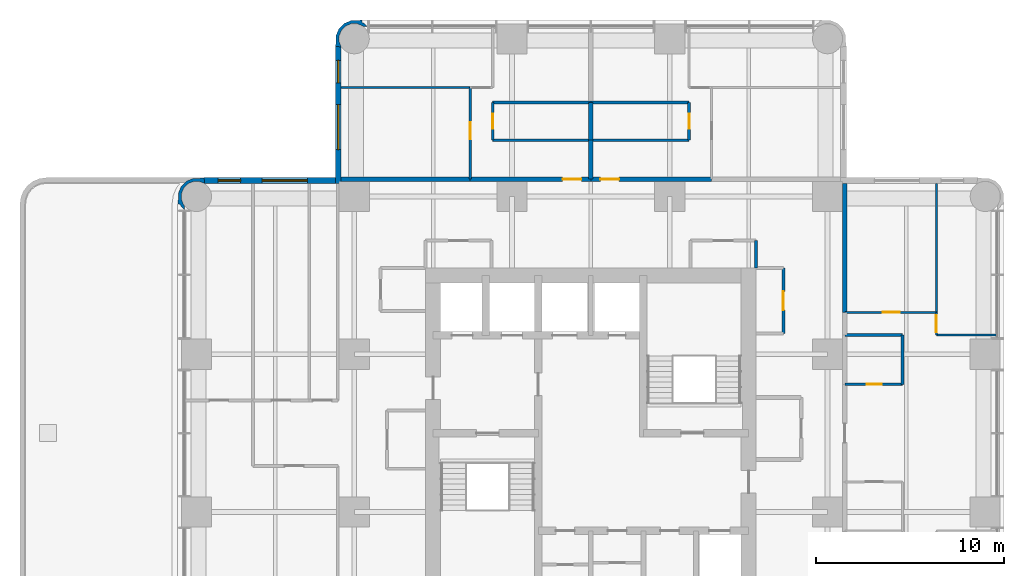
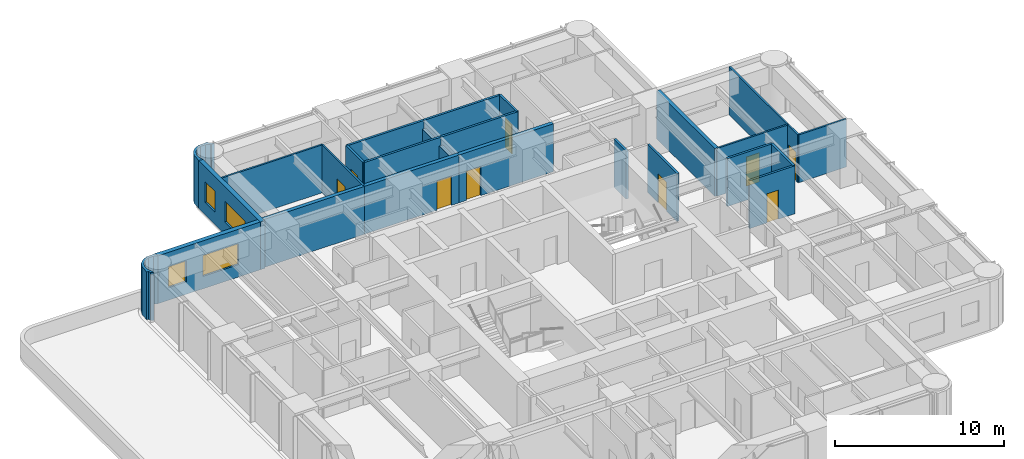
# One storey, part 7 of 9: 27 walls, 9 doors, 4 windows, 13 openings.
"""IFC4 building model written with IfcOpenShell, lengths in metres."""

from ifc_helpers import new_model, si_unit, direction, frame, frame_2d, origin, place, context, subcontext, project, spatial, polyline, rectangle, outline, extrude, material, layer, layer_set, type_object, element, fill, save


model = new_model("IFC4")

# Units and contexts
model_context = context("Model", 3, precision=1e-05, world=origin(), true_north=direction((0.0, 1.0)))
body_context = subcontext(model_context, "Body", "Model", "MODEL_VIEW")
ifc_project = project(units=[si_unit("LENGTHUNIT", "METRE"), si_unit("AREAUNIT", "SQUARE_METRE"), si_unit("VOLUMEUNIT", "CUBIC_METRE"), si_unit("PLANEANGLEUNIT", "RADIAN"), si_unit("MASSUNIT", "GRAM", prefix="KILO")], contexts=[model_context])

# Site, building, storey
site_placement = place(None, origin())
site = spatial("IfcSite", under=ifc_project, at=site_placement, CompositionType="ELEMENT")
building_placement = place(site_placement, origin())
building = spatial("IfcBuilding", under=site, at=building_placement, Name="Torre Alcanfor", CompositionType="ELEMENT")
storey_placement = place(building_placement, frame((0.0, 0.0, 254.10009765625)))
storey = spatial("IfcBuildingStorey", under=building, at=storey_placement, Name="L66", CompositionType="ELEMENT", Elevation=254.10009765625)

# Wall, opening, door
ifc_material_1 = material(Name="Concrete block masonry, hollow blocks NMX-C-404 9 MPa", Category="masonry")
ifc_layer_1 = layer(ifc_material_1, 0.25)
ifc_layer_set_1 = layer_set([ifc_layer_1], Name="Apartment entrance wall 250 EI 60")
wall_type_1 = type_object("IfcWallType", Name="Apartment entrance wall 250 EI 60", PredefinedType="PARTITIONING", material=ifc_layer_set_1)
wall_1_placement = place(storey_placement, frame((22.970947265625, 42.925048828125, 0.0), z_axis=(0.0, 0.0, 1.0), x_axis=(1.0, 0.0, 0.0)))
wall_1 = element("IfcWall", 1, at=wall_1_placement, inside=storey, type_object=wall_type_1, Name="Partition L66-CORR / L66-N1-LIVING", PredefinedType="PARTITIONING", context=body_context, shape_type="SweptSolid", body=[
    extrude(rectangle(XDim=6.428955078125, YDim=0.25, at=frame_2d((3.21435546875, 0.0))), origin(), (0.0, 0.0, 1.0), 3.449951171875),
])
opening_1_placement = place(wall_1_placement, frame((4.928955078125, 0.0, 0.0)))
opening_1 = element("IfcOpeningElement", 2, at=opening_1_placement, cuts=wall_1, Name="Opening D-A1", PredefinedType="OPENING", context=body_context, shape_type="SweptSolid", body=[
    extrude(rectangle(XDim=1.0, YDim=2.10009765625, at=frame_2d((0.5, 1.050048828125))), frame((0.0, 0.135009765625, 0.0), z_axis=(0.0, -1.0, 0.0), x_axis=(1.0, 0.0, 0.0)), (0.0, 0.0, 1.0), 0.27001953125),
])
ifc_material_2 = material(Name="Galvanised steel sheet ASTM A653", Category="steel")
door_type_1 = type_object("IfcDoorType", Name="Apartment entrance door FD60 1000x2100", OperationType="SINGLE_SWING_LEFT", PredefinedType="DOOR", material=ifc_material_2)
door_1_placement = place(opening_1_placement, origin())
door_1 = element("IfcDoor", 3, at=door_1_placement, inside=storey, type_object=door_type_1, Name="Apartment entrance L66-N1", OperationType="SINGLE_SWING_RIGHT", OverallHeight=2.10009765625, OverallWidth=1.0, PredefinedType="DOOR", context=body_context, shape_type="SweptSolid", body=[
    extrude(rectangle(XDim=1.0, YDim=2.10009765625, at=frame_2d((0.5, 1.050048828125))), frame((0.0, 0.02490234375, 0.0), z_axis=(0.0, -1.0, 0.0), x_axis=(1.0, 0.0, 0.0)), (0.0, 0.0, 1.0), 0.050048828125),
])
fill(opening_1, door_1)

# Wall
wall_2_placement = place(storey_placement, frame((16.10009765625, 42.925048828125, 0.0), z_axis=(0.0, 0.0, 1.0), x_axis=(1.0, 0.0, 0.0)))
element("IfcWall", 4, at=wall_2_placement, inside=storey, type_object=wall_type_1, Name="Partition L66-CORR / L66-N1-BED2", PredefinedType="PARTITIONING", context=body_context, shape_type="SweptSolid", body=[
    extrude(rectangle(XDim=6.870849609375, YDim=0.25, at=frame_2d((3.435546875, 0.0))), origin(), (0.0, 0.0, 1.0), 3.449951171875),
])

# Wall, opening, door
wall_3_placement = place(storey_placement, frame((29.39990234375, 42.925048828125, 0.0), z_axis=(0.0, 0.0, 1.0), x_axis=(1.0, 0.0, 0.0)))
wall_3 = element("IfcWall", 5, at=wall_3_placement, inside=storey, type_object=wall_type_1, Name="Partition L66-CORR / L66-N2-LIVING", PredefinedType="PARTITIONING", context=body_context, shape_type="SweptSolid", body=[
    extrude(rectangle(XDim=6.42919921875, YDim=0.25, at=frame_2d((3.214599609375, 0.0))), origin(), (0.0, 0.0, 1.0), 3.449951171875),
])
opening_2_placement = place(wall_3_placement, frame((0.5, 0.0, 0.0)))
opening_2 = element("IfcOpeningElement", 6, at=opening_2_placement, cuts=wall_3, Name="Opening D-A1", PredefinedType="OPENING", context=body_context, shape_type="SweptSolid", body=[
    extrude(rectangle(XDim=1.0, YDim=2.10009765625, at=frame_2d((0.5, 1.050048828125))), frame((0.0, 0.135009765625, 0.0), z_axis=(0.0, -1.0, 0.0), x_axis=(1.0, 0.0, 0.0)), (0.0, 0.0, 1.0), 0.27001953125),
])
door_2_placement = place(opening_2_placement, origin())
door_2 = element("IfcDoor", 7, at=door_2_placement, inside=storey, type_object=door_type_1, Name="Apartment entrance L66-N2", OperationType="SINGLE_SWING_LEFT", OverallHeight=2.10009765625, OverallWidth=1.0, PredefinedType="DOOR", context=body_context, shape_type="SweptSolid", body=[
    extrude(rectangle(XDim=1.0, YDim=2.10009765625, at=frame_2d((0.5, 1.050048828125))), frame((0.0, 0.02490234375, 0.0), z_axis=(0.0, -1.0, 0.0), x_axis=(1.0, 0.0, 0.0)), (0.0, 0.0, 1.0), 0.050048828125),
])
fill(opening_2, door_2)

# Wall
wall_4_placement = place(storey_placement, frame((42.925048828125, 42.699951171875, 0.0), z_axis=(0.0, 0.0, 1.0), x_axis=(0.0, -1.0, 0.0)))
element("IfcWall", 8, at=wall_4_placement, inside=storey, type_object=wall_type_1, Name="Partition L66-CORR / L66-EX-BED2", PredefinedType="PARTITIONING", context=body_context, shape_type="SweptSolid", body=[
    extrude(rectangle(XDim=6.870849609375, YDim=0.25, at=frame_2d((3.435546875, 0.0))), origin(), (0.0, 0.0, 1.0), 3.449951171875),
])

# Wall, opening, door
ifc_material_3 = material(Name="Gypsum board on steel studs", Category="steel")
ifc_layer_2 = layer(ifc_material_3, 0.1201171875)
ifc_layer_set_2 = layer_set([ifc_layer_2], Name="Apartment partition 120")
wall_type_2 = type_object("IfcWallType", Name="Apartment partition 120", PredefinedType="PARTITIONING", material=ifc_layer_set_2)
wall_5_placement = place(storey_placement, frame((22.970947265625, 42.925048828125, 0.0), z_axis=(0.0, 0.0, 1.0), x_axis=(0.0, 1.0, 0.0)))
wall_5 = element("IfcWall", 9, at=wall_5_placement, inside=storey, type_object=wall_type_2, Name="Partition L66-N1-LIVING / L66-N1-BED2", PredefinedType="PARTITIONING", context=body_context, shape_type="SweptSolid", body=[
    extrude(rectangle(XDim=4.875, YDim=0.1201171875, at=frame_2d((2.4375, 0.0))), origin(), (0.0, 0.0, 1.0), 3.449951171875),
])
opening_3_placement = place(wall_5_placement, frame((2.125, 0.0, 0.0)))
opening_3 = element("IfcOpeningElement", 10, at=opening_3_placement, cuts=wall_5, Name="Opening D-R1", PredefinedType="OPENING", context=body_context, shape_type="SweptSolid", body=[
    extrude(rectangle(XDim=0.89990234375, YDim=2.10009765625, at=frame_2d((0.449951171875, 1.050048828125))), frame((0.0, 0.070068359375, 0.0), z_axis=(0.0, -1.0, 0.0), x_axis=(1.0, 0.0, 0.0)), (0.0, 0.0, 1.0), 0.14013671875),
])
ifc_material_4 = material(Name="Timber", Category="wood")
door_type_2 = type_object("IfcDoorType", Name="Internal door 900x2100", OperationType="SINGLE_SWING_LEFT", PredefinedType="DOOR", material=ifc_material_4)
door_3_placement = place(opening_3_placement, origin())
door_3 = element("IfcDoor", 11, at=door_3_placement, inside=storey, type_object=door_type_2, Name="Door L66-N1 bed2", OperationType="SINGLE_SWING_RIGHT", OverallHeight=2.10009765625, OverallWidth=0.89990234375, PredefinedType="DOOR", context=body_context, shape_type="SweptSolid", body=[
    extrude(rectangle(XDim=0.89990234375, YDim=2.10009765625, at=frame_2d((0.449951171875, 1.050048828125))), frame((0.0, 0.02490234375, 0.0), z_axis=(0.0, -1.0, 0.0), x_axis=(1.0, 0.0, 0.0)), (0.0, 0.0, 1.0), 0.050048828125),
])
fill(opening_3, door_3)

# Wall
wall_6_placement = place(storey_placement, frame((22.970947265625, 47.800048828125, 0.0), z_axis=(0.0, 0.0, 1.0), x_axis=(-1.0, 0.0, 0.0)))
element("IfcWall", 12, at=wall_6_placement, inside=storey, type_object=wall_type_2, Name="Partition L66-N1-BED2 / L66-N1-MASTER", PredefinedType="PARTITIONING", context=body_context, shape_type="SweptSolid", body=[
    extrude(rectangle(XDim=6.870849609375, YDim=0.1201171875, at=frame_2d((3.435546875, 0.0))), origin(), (0.0, 0.0, 1.0), 3.449951171875),
])

# Wall, opening, door
wall_7_placement = place(storey_placement, frame((42.925048828125, 35.8291015625, 0.0), z_axis=(0.0, 0.0, 1.0), x_axis=(1.0, 0.0, 0.0)))
wall_7 = element("IfcWall", 13, at=wall_7_placement, inside=storey, type_object=wall_type_2, Name="Partition L66-EX-LIVING / L66-EX-BED2", PredefinedType="PARTITIONING", context=body_context, shape_type="SweptSolid", body=[
    extrude(rectangle(XDim=4.875, YDim=0.1201171875, at=frame_2d((2.4375, 0.0))), origin(), (0.0, 0.0, 1.0), 3.449951171875),
])
opening_4_placement = place(wall_7_placement, frame((2.02490234375, 0.0, 0.0)))
opening_4 = element("IfcOpeningElement", 14, at=opening_4_placement, cuts=wall_7, Name="Opening D-R1", PredefinedType="OPENING", context=body_context, shape_type="SweptSolid", body=[
    extrude(rectangle(XDim=0.89990234375, YDim=2.10009765625, at=frame_2d((0.449951171875, 1.050048828125))), frame((0.0, 0.070068359375, 0.0), z_axis=(0.0, -1.0, 0.0), x_axis=(1.0, 0.0, 0.0)), (0.0, 0.0, 1.0), 0.14013671875),
])
door_4_placement = place(opening_4_placement, origin())
door_4 = element("IfcDoor", 15, at=door_4_placement, inside=storey, type_object=door_type_2, Name="Door L66-EX bed2", OperationType="SINGLE_SWING_RIGHT", OverallHeight=2.10009765625, OverallWidth=0.89990234375, PredefinedType="DOOR", context=body_context, shape_type="SweptSolid", body=[
    extrude(rectangle(XDim=0.89990234375, YDim=2.10009765625, at=frame_2d((0.449951171875, 1.050048828125))), frame((0.0, 0.02490234375, 0.0), z_axis=(0.0, -1.0, 0.0), x_axis=(1.0, 0.0, 0.0)), (0.0, 0.0, 1.0), 0.050048828125),
])
fill(opening_4, door_4)

wall_8_placement = place(storey_placement, frame((47.800048828125, 35.8291015625, 0.0), z_axis=(0.0, 0.0, 1.0), x_axis=(0.0, -1.0, 0.0)))
wall_8 = element("IfcWall", 16, at=wall_8_placement, inside=storey, type_object=wall_type_2, Name="Partition L66-EX-LIVING / L66-EX-MASTER", PredefinedType="PARTITIONING", context=body_context, shape_type="SweptSolid", body=[
    extrude(rectangle(XDim=1.2001953125, YDim=0.1201171875, at=frame_2d((0.60009765625, 0.0))), origin(), (0.0, 0.0, 1.0), 3.449951171875),
])
opening_5_placement = place(wall_8_placement, frame((0.14892578125, 0.0, 0.0)))
opening_5 = element("IfcOpeningElement", 17, at=opening_5_placement, cuts=wall_8, Name="Opening D-R1", PredefinedType="OPENING", context=body_context, shape_type="SweptSolid", body=[
    extrude(rectangle(XDim=0.89990234375, YDim=2.10009765625, at=frame_2d((0.449951171875, 1.050048828125))), frame((0.0, 0.070068359375, 0.0), z_axis=(0.0, -1.0, 0.0), x_axis=(1.0, 0.0, 0.0)), (0.0, 0.0, 1.0), 0.14013671875),
])
door_5_placement = place(opening_5_placement, origin())
door_5 = element("IfcDoor", 18, at=door_5_placement, inside=storey, type_object=door_type_2, Name="Door L66-EX master", OperationType="SINGLE_SWING_RIGHT", OverallHeight=2.10009765625, OverallWidth=0.89990234375, PredefinedType="DOOR", context=body_context, shape_type="SweptSolid", body=[
    extrude(rectangle(XDim=0.89990234375, YDim=2.10009765625, at=frame_2d((0.449951171875, 1.050048828125))), frame((0.0, 0.02490234375, 0.0), z_axis=(0.0, -1.0, 0.0), x_axis=(1.0, 0.0, 0.0)), (0.0, 0.0, 1.0), 0.050048828125),
])
fill(opening_5, door_5)

# Walls
wall_9_placement = place(storey_placement, frame((47.800048828125, 34.62890625, 0.0), z_axis=(0.0, 0.0, 1.0), x_axis=(1.0, 0.0, 0.0)))
element("IfcWall", 19, at=wall_9_placement, inside=storey, type_object=wall_type_2, Name="Partition L66-EX-LIVING / L66-EX-MASTER", PredefinedType="PARTITIONING", context=body_context, shape_type="SweptSolid", body=[
    extrude(rectangle(XDim=3.25, YDim=0.1201171875, at=frame_2d((1.625, 0.0))), origin(), (0.0, 0.0, 1.0), 3.449951171875),
])
wall_10_placement = place(storey_placement, frame((47.800048828125, 35.8291015625, 0.0), z_axis=(0.0, 0.0, 1.0), x_axis=(0.0, 1.0, 0.0)))
element("IfcWall", 20, at=wall_10_placement, inside=storey, type_object=wall_type_2, Name="Partition L66-EX-BED2 / L66-EX-MASTER", PredefinedType="PARTITIONING", context=body_context, shape_type="SweptSolid", body=[
    extrude(rectangle(XDim=6.870849609375, YDim=0.1201171875, at=frame_2d((3.435546875, 0.0))), origin(), (0.0, 0.0, 1.0), 3.449951171875),
])

# Wall, openings, windows
ifc_material_5 = material(Name="Limestone cladding", Category="masonry")
ifc_layer_3 = layer(ifc_material_5, 0.0400390625, Name="Facing")
ifc_material_6 = material(Name="Ventilated air cavity")
ifc_layer_4 = layer(ifc_material_6, 0.02001953125, ventilated=True, Name="Ventilated joint")
ifc_material_7 = material(Name="Mineral wool insulation", Category="insulation")
ifc_layer_5 = layer(ifc_material_7, 0.10009765625, Name="Insulation")
ifc_material_8 = material(Name="Concrete f'c 35 MPa", Category="concrete")
ifc_layer_6 = layer(ifc_material_8, 0.139892578125, Name="Backing")
ifc_layer_set_3 = layer_set([ifc_layer_3, ifc_layer_4, ifc_layer_5, ifc_layer_6], Name="External wall stone-clad 300")
wall_type_3 = type_object("IfcWallType", Name="External wall stone-clad 300", PredefinedType="SOLIDWALL", material=ifc_layer_set_3)
wall_11_placement = place(storey_placement, frame((15.800048828125, 42.85009765625, 0.0), z_axis=(0.0, 0.0, 1.0), x_axis=(-1.0, 0.0, 0.0)))
wall_11 = element("IfcWall", 21, at=wall_11_placement, inside=storey, type_object=wall_type_3, Name="External wall L66 1", PredefinedType="SOLIDWALL", context=body_context, shape_type="SweptSolid", body=[
    extrude(rectangle(XDim=7.0, YDim=0.300048828125, at=frame_2d((3.5, 0.0))), origin(), (0.0, 0.0, 1.0), 3.449951171875),
])
opening_6_placement = place(wall_11_placement, frame((1.5, 0.0, 0.89990234375)))
opening_6 = element("IfcOpeningElement", 22, at=opening_6_placement, cuts=wall_11, Name="Opening W1", PredefinedType="OPENING", context=body_context, shape_type="SweptSolid", body=[
    extrude(rectangle(XDim=2.39990234375, YDim=1.5, at=frame_2d((1.199951171875, 0.75))), frame((0.0, 0.159912109375, 0.0), z_axis=(0.0, -1.0, 0.0), x_axis=(1.0, 0.0, 0.0)), (0.0, 0.0, 1.0), 0.320068359375),
])
opening_7_placement = place(wall_11_placement, frame((5.050048828125, 0.0, 0.89990234375)))
opening_7 = element("IfcOpeningElement", 23, at=opening_7_placement, cuts=wall_11, Name="Opening W4", PredefinedType="OPENING", context=body_context, shape_type="SweptSolid", body=[
    extrude(rectangle(XDim=1.199951171875, YDim=1.5, at=frame_2d((0.60009765625, 0.75))), frame((0.0, 0.159912109375, 0.0), z_axis=(0.0, -1.0, 0.0), x_axis=(1.0, 0.0, 0.0)), (0.0, 0.0, 1.0), 0.320068359375),
])
ifc_material_9 = material(Name="Aluminium frame with clear double glazing", Category="aluminium")
window_type_1 = type_object("IfcWindowType", Name="Window bedroom 1200x1500", PartitioningType="SINGLE_PANEL", PredefinedType="WINDOW", material=ifc_material_9)
window_1_placement = place(opening_7_placement, origin())
window_1 = element("IfcWindow", 24, at=window_1_placement, inside=storey, type_object=window_type_1, Name="Window W4 L66-W2", OverallHeight=1.5, OverallWidth=1.199951171875, PartitioningType="SINGLE_PANEL", PredefinedType="WINDOW", context=body_context, shape_type="SweptSolid", body=[
    extrude(rectangle(XDim=1.199951171875, YDim=1.5, at=frame_2d((0.60009765625, 0.75))), frame((0.0, 0.030029296875, 0.0), z_axis=(0.0, -1.0, 0.0), x_axis=(1.0, 0.0, 0.0)), (0.0, 0.0, 1.0), 0.06005859375),
])
fill(opening_7, window_1)
ifc_material_10 = material(Name="Aluminium frame with clear double glazing", Category="aluminium")
window_type_2 = type_object("IfcWindowType", Name="Window bedroom 2400x1500", PartitioningType="SINGLE_PANEL", PredefinedType="WINDOW", material=ifc_material_10)
window_2_placement = place(opening_6_placement, origin())
window_2 = element("IfcWindow", 25, at=window_2_placement, inside=storey, type_object=window_type_2, Name="Window W1 L66-W2", OverallHeight=1.5, OverallWidth=2.39990234375, PartitioningType="SINGLE_PANEL", PredefinedType="WINDOW", context=body_context, shape_type="SweptSolid", body=[
    extrude(rectangle(XDim=2.39990234375, YDim=1.5, at=frame_2d((1.199951171875, 0.75))), frame((0.0, 0.030029296875, 0.0), z_axis=(0.0, -1.0, 0.0), x_axis=(1.0, 0.0, 0.0)), (0.0, 0.0, 1.0), 0.06005859375),
])
fill(opening_6, window_2)

wall_12_placement = place(storey_placement, frame((15.949951171875, 50.0, 0.0), z_axis=(0.0, 0.0, 1.0), x_axis=(0.0, -1.0, 0.0)))
wall_12 = element("IfcWall", 26, at=wall_12_placement, inside=storey, type_object=wall_type_3, Name="External wall L66 12", PredefinedType="SOLIDWALL", context=body_context, shape_type="SweptSolid", body=[
    extrude(rectangle(XDim=7.300048828125, YDim=0.300048828125, at=frame_2d((3.64990234375, 0.0))), origin(), (0.0, 0.0, 1.0), 3.449951171875),
])
opening_8_placement = place(wall_12_placement, frame((3.10009765625, 0.0, 0.89990234375)))
opening_8 = element("IfcOpeningElement", 27, at=opening_8_placement, cuts=wall_12, Name="Opening W1", PredefinedType="OPENING", context=body_context, shape_type="SweptSolid", body=[
    extrude(rectangle(XDim=2.39990234375, YDim=1.5, at=frame_2d((1.199951171875, 0.75))), frame((0.0, 0.159912109375, 0.0), z_axis=(0.0, -1.0, 0.0), x_axis=(1.0, 0.0, 0.0)), (0.0, 0.0, 1.0), 0.320068359375),
])
opening_9_placement = place(wall_12_placement, frame((0.75, 0.0, 0.89990234375)))
opening_9 = element("IfcOpeningElement", 28, at=opening_9_placement, cuts=wall_12, Name="Opening W4", PredefinedType="OPENING", context=body_context, shape_type="SweptSolid", body=[
    extrude(rectangle(XDim=1.199951171875, YDim=1.5, at=frame_2d((0.60009765625, 0.75))), frame((0.0, 0.159912109375, 0.0), z_axis=(0.0, -1.0, 0.0), x_axis=(1.0, 0.0, 0.0)), (0.0, 0.0, 1.0), 0.320068359375),
])
window_3_placement = place(opening_9_placement, origin())
window_3 = element("IfcWindow", 29, at=window_3_placement, inside=storey, type_object=window_type_1, Name="Window W4 L66-N1", OverallHeight=1.5, OverallWidth=1.199951171875, PartitioningType="SINGLE_PANEL", PredefinedType="WINDOW", context=body_context, shape_type="SweptSolid", body=[
    extrude(rectangle(XDim=1.199951171875, YDim=1.5, at=frame_2d((0.60009765625, 0.75))), frame((0.0, 0.030029296875, 0.0), z_axis=(0.0, -1.0, 0.0), x_axis=(1.0, 0.0, 0.0)), (0.0, 0.0, 1.0), 0.06005859375),
])
fill(opening_9, window_3)
window_4_placement = place(opening_8_placement, origin())
window_4 = element("IfcWindow", 30, at=window_4_placement, inside=storey, type_object=window_type_2, Name="Window W1 L66-N1", OverallHeight=1.5, OverallWidth=2.39990234375, PartitioningType="SINGLE_PANEL", PredefinedType="WINDOW", context=body_context, shape_type="SweptSolid", body=[
    extrude(rectangle(XDim=2.39990234375, YDim=1.5, at=frame_2d((1.199951171875, 0.75))), frame((0.0, 0.030029296875, 0.0), z_axis=(0.0, -1.0, 0.0), x_axis=(1.0, 0.0, 0.0)), (0.0, 0.0, 1.0), 0.06005859375),
])
fill(opening_8, window_4)

# Walls
ifc_material_11 = material(Name="Concrete block masonry, hollow blocks NMX-C-404 9 MPa", Category="masonry")
ifc_layer_7 = layer(ifc_material_11, 0.25)
ifc_layer_set_4 = layer_set([ifc_layer_7], Name="Party wall 250 EI 60")
wall_type_4 = type_object("IfcWallType", Name="Party wall 250 EI 60", PredefinedType="PARTITIONING", material=ifc_layer_set_4)
wall_13_placement = place(storey_placement, frame((29.39990234375, 45.0, 0.0), z_axis=(0.0, 0.0, 1.0), x_axis=(0.0, 1.0, 0.0)))
element("IfcWall", 31, at=wall_13_placement, inside=storey, type_object=wall_type_4, Name="Partition L66-N1-BATH / L66-N2-BATH", PredefinedType="PARTITIONING", context=body_context, shape_type="SweptSolid", body=[
    extrude(rectangle(XDim=2.0, YDim=0.25, at=frame_2d((1.0, 0.0))), origin(), (0.0, 0.0, 1.0), 2.847900390625),
])
wall_14_placement = place(storey_placement, frame((29.39990234375, 45.0, 0.0), z_axis=(0.0, 0.0, 1.0), x_axis=(0.0, -1.0, 0.0)))
element("IfcWall", 32, at=wall_14_placement, inside=storey, type_object=wall_type_4, Name="Partition L66-N1-LIVING / L66-N2-LIVING", PredefinedType="PARTITIONING", context=body_context, shape_type="SweptSolid", body=[
    extrude(rectangle(XDim=2.074951171875, YDim=0.25, at=frame_2d((1.03759765625, 0.0))), origin(), (0.0, 0.0, 1.0), 2.847900390625),
])
ifc_material_12 = material(Name="Concrete block masonry, hollow blocks NMX-C-404 9 MPa", Category="masonry")
ifc_layer_8 = layer(ifc_material_12, 0.14990234375)
ifc_layer_set_5 = layer_set([ifc_layer_8], Name="Residents' room partition 150")
wall_type_5 = type_object("IfcWallType", Name="Residents' room partition 150", PredefinedType="PARTITIONING", material=ifc_layer_set_5)
wall_15_placement = place(storey_placement, frame((38.199951171875, 38.199951171875, 0.0), z_axis=(0.0, 0.0, 1.0), x_axis=(0.0, 1.0, 0.0)))
element("IfcWall", 33, at=wall_15_placement, inside=storey, type_object=wall_type_5, Name="Partition L66-CORR / L66-G02", PredefinedType="PARTITIONING", context=body_context, shape_type="SweptSolid", body=[
    extrude(rectangle(XDim=1.449951171875, YDim=0.14990234375, at=frame_2d((0.72509765625, 0.0))), origin(), (0.0, 0.0, 1.0), 3.449951171875),
])

# Wall, opening, door
wall_16_placement = place(storey_placement, frame((39.64990234375, 34.699951171875, 0.0), z_axis=(0.0, 0.0, 1.0), x_axis=(0.0, 1.0, 0.0)))
wall_16 = element("IfcWall", 34, at=wall_16_placement, inside=storey, type_object=wall_type_5, Name="Partition L66-CORR / L66-G04", PredefinedType="PARTITIONING", context=body_context, shape_type="SweptSolid", body=[
    extrude(rectangle(XDim=3.5, YDim=0.14990234375, at=frame_2d((1.75, 0.0))), origin(), (0.0, 0.0, 1.0), 3.449951171875),
])
opening_10_placement = place(wall_16_placement, frame((1.25, 0.0, 0.0)))
opening_10 = element("IfcOpeningElement", 35, at=opening_10_placement, cuts=wall_16, Name="Opening D-M1", PredefinedType="OPENING", context=body_context, shape_type="SweptSolid", body=[
    extrude(rectangle(XDim=1.0, YDim=2.10009765625, at=frame_2d((0.5, 1.050048828125))), frame((0.0, 0.0849609375, 0.0), z_axis=(0.0, -1.0, 0.0), x_axis=(1.0, 0.0, 0.0)), (0.0, 0.0, 1.0), 0.169921875),
])
ifc_material_13 = material(Name="Timber", Category="wood")
door_type_3 = type_object("IfcDoorType", Name="Residents' room door 1000x2100", OperationType="SINGLE_SWING_LEFT", PredefinedType="DOOR", material=ifc_material_13)
door_6_placement = place(opening_10_placement, origin())
door_6 = element("IfcDoor", 36, at=door_6_placement, inside=storey, type_object=door_type_3, Name="Door L66-G04 parcel room", OperationType="SINGLE_SWING_LEFT", OverallHeight=2.10009765625, OverallWidth=1.0, PredefinedType="DOOR", context=body_context, shape_type="SweptSolid", body=[
    extrude(rectangle(XDim=1.0, YDim=2.10009765625, at=frame_2d((0.5, 1.050048828125))), frame((0.0, 0.02490234375, 0.0), z_axis=(0.0, -1.0, 0.0), x_axis=(1.0, 0.0, 0.0)), (0.0, 0.0, 1.0), 0.050048828125),
])
fill(opening_10, door_6)

# Walls
ifc_layer_9 = layer(ifc_material_5, 0.0400390625, Name="Facing")
ifc_layer_10 = layer(ifc_material_6, 0.02001953125, ventilated=True, Name="Ventilated joint")
ifc_layer_11 = layer(ifc_material_7, 0.10009765625, Name="Insulation")
ifc_layer_12 = layer(ifc_material_8, 0.139892578125, Name="Backing")
ifc_layer_set_6 = layer_set([ifc_layer_9, ifc_layer_10, ifc_layer_11, ifc_layer_12], Name="Rounded corner pier stone-clad 300")
wall_type_6 = type_object("IfcWallType", Name="Rounded corner pier stone-clad 300", PredefinedType="SOLIDWALL", material=ifc_layer_set_6)
wall_17_placement = place(storey_placement, frame((8.726823795, 42.817059488, 0.0), z_axis=(0.0, 0.0, 1.0), x_axis=(-0.93923434088, 0.343276641956, 0.0)))
element("IfcWall", 37, at=wall_17_placement, inside=storey, type_object=wall_type_6, Name="Corner pier L66 13", PredefinedType="SOLIDWALL", context=body_context, shape_type="SweptSolid", body=[
    extrude(outline(polyline([(-0.1273204359478541, 0.07815108671570803), (-0.14612346718616526, 0.07127884925467534), (-0.005976261085975126, -0.196960454686753), (0.26576431145168383, -0.05501371368591472), (0.5354272960401464, 0.04354422843816394), (0.8165725387255249, 0.3020003118886595), (0.9774927572336956, 0.6483033262968827), (0.9937443740697459, 1.0298502821324707), (0.8951864319456673, 1.2995132667209333), (0.8285356236719887, 1.5985134838437192), (0.696612876757023, 1.5690129946126392), (0.604212932216139, 1.669628949899784), (0.39411408712760576, 1.7672577623943433), (0.47121723912943597, 1.5562969241108522), (0.5085614978206915, 1.5387534181262859), (0.7240569974051148, 1.3040313549513107), (0.8333423345903176, 1.0050172972103626), (0.8199911856889537, 0.6866550756681848), (0.6857808147259417, 0.39742244102510316), (0.45105875155096664, 0.18192694144068), (0.15181538855101462, 0.07255779648156209), (-0.11621252215606581, 0.08403041999840126), (-0.1273204359478541, 0.07815108671570803)])), origin(), (0.0, 0.0, 1.0), 3.449951171875),
])
wall_18_placement = place(storey_placement, frame((17.448071802, 50.995317512, 0.0), z_axis=(0.0, 0.0, 1.0), x_axis=(-0.343276641956, 0.93923434088, 0.0)))
element("IfcWall", 38, at=wall_18_placement, inside=storey, type_object=wall_type_6, Name="Corner pier L66 20", PredefinedType="SOLIDWALL", context=body_context, shape_type="SweptSolid", body=[
    extrude(outline(polyline([(0.24108059829103723, 0.022959620234629247), (0.3334805428319213, 0.12357557552177408), (0.4651739844878831, 0.09415889406460926), (0.5320540980205655, 0.3930753034134802), (0.6306958479185591, 0.6629675932609465), (0.6144442310825087, 1.0445145490965344), (0.4535240125743382, 1.3908175635047577), (0.17229496211504458, 1.6490443416962495), (-0.0975973277324218, 1.7476860915942432), (-0.36910859501107685, 1.8895490248211664), (-0.5092558011112671, 1.6213097208797382), (-0.4906820751319597, 1.6145212911926206), (-0.47934485608116756, 1.6085581501360122), (-0.21131694537408713, 1.6200307736528514), (0.0879264176258649, 1.5106616286937335), (0.32264848080083985, 1.2951661291093102), (0.4569426595377669, 1.0061627997252323), (0.4702938084391308, 0.6878005781830546), (0.3609246634800129, 0.3885572151831026), (0.1454291638955897, 0.15383515200812764), (0.10816871297824923, 0.136520951282565), (0.030981753202503952, -0.0746691922599299), (0.24108059829103723, 0.022959620234629247)])), origin(), (0.0, 0.0, 1.0), 3.449951171875),
])
ifc_material_14 = material(Name="Cement board on steel studs", Category="steel")
ifc_layer_13 = layer(ifc_material_14, 0.14990234375)
ifc_layer_set_7 = layer_set([ifc_layer_13], Name="Wet area partition 150")
wall_type_7 = type_object("IfcWallType", Name="Wet area partition 150", PredefinedType="PARTITIONING", material=ifc_layer_set_7)
wall_19_placement = place(storey_placement, frame((29.39990234375, 47.0, 0.0), z_axis=(0.0, 0.0, 1.0), x_axis=(-1.0, 0.0, 0.0)))
element("IfcWall", 39, at=wall_19_placement, inside=storey, type_object=wall_type_7, Name="Partition L66-N1-BATH / L66-N1-LIVING", PredefinedType="PARTITIONING", context=body_context, shape_type="SweptSolid", body=[
    extrude(rectangle(XDim=5.22900390625, YDim=0.14990234375, at=frame_2d((2.614501953125, 0.0))), origin(), (0.0, 0.0, 1.0), 3.449951171875),
])

# Wall, opening, door
wall_20_placement = place(storey_placement, frame((24.1708984375, 47.0, 0.0), z_axis=(0.0, 0.0, 1.0), x_axis=(0.0, -1.0, 0.0)))
wall_20 = element("IfcWall", 40, at=wall_20_placement, inside=storey, type_object=wall_type_7, Name="Partition L66-N1-BATH / L66-N1-LIVING", PredefinedType="PARTITIONING", context=body_context, shape_type="SweptSolid", body=[
    extrude(rectangle(XDim=2.0, YDim=0.14990234375, at=frame_2d((1.0, 0.0))), origin(), (0.0, 0.0, 1.0), 3.449951171875),
])
opening_11_placement = place(wall_20_placement, frame((0.60009765625, 0.0, 0.0)))
opening_11 = element("IfcOpeningElement", 41, at=opening_11_placement, cuts=wall_20, Name="Opening D-R2", PredefinedType="OPENING", context=body_context, shape_type="SweptSolid", body=[
    extrude(rectangle(XDim=0.800048828125, YDim=2.10009765625, at=frame_2d((0.39990234375, 1.050048828125))), frame((0.0, 0.0849609375, 0.0), z_axis=(0.0, -1.0, 0.0), x_axis=(1.0, 0.0, 0.0)), (0.0, 0.0, 1.0), 0.169921875),
])
ifc_material_15 = material(Name="Timber", Category="wood")
door_type_4 = type_object("IfcDoorType", Name="Bathroom door 800x2100", OperationType="SINGLE_SWING_LEFT", PredefinedType="DOOR", material=ifc_material_15)
door_7_placement = place(opening_11_placement, origin())
door_7 = element("IfcDoor", 42, at=door_7_placement, inside=storey, type_object=door_type_4, Name="Door L66-N1 bath", OperationType="SINGLE_SWING_LEFT", OverallHeight=2.10009765625, OverallWidth=0.800048828125, PredefinedType="DOOR", context=body_context, shape_type="SweptSolid", body=[
    extrude(rectangle(XDim=0.800048828125, YDim=2.10009765625, at=frame_2d((0.39990234375, 1.050048828125))), frame((0.0, 0.02490234375, 0.0), z_axis=(0.0, -1.0, 0.0), x_axis=(1.0, 0.0, 0.0)), (0.0, 0.0, 1.0), 0.050048828125),
])
fill(opening_11, door_7)

# Walls
for number, where, z_axis, x_axis, name in (
    (43, (24.1708984375, 45.0, 0.0), (0.0, 0.0, 1.0), (1.0, 0.0, 0.0), "Partition L66-N1-BATH / L66-N1-LIVING"),
    (44, (29.39990234375, 47.0, 0.0), (0.0, 0.0, 1.0), (1.0, 0.0, 0.0), "Partition L66-N2-BATH / L66-N2-LIVING"),
):
    element("IfcWall", number, at=place(storey_placement, frame(where, z_axis=z_axis, x_axis=x_axis)), inside=storey, type_object=wall_type_7, Name=name, PredefinedType="PARTITIONING", context=body_context, shape_type="SweptSolid", body=[
        extrude(rectangle(XDim=5.22900390625, YDim=0.14990234375, at=frame_2d((2.614501953125, 0.0))), origin(), (0.0, 0.0, 1.0), 3.449951171875),
    ])

# Wall, opening, door
wall_21_placement = place(storey_placement, frame((34.62890625, 47.0, 0.0), z_axis=(0.0, 0.0, 1.0), x_axis=(0.0, -1.0, 0.0)))
wall_21 = element("IfcWall", 45, at=wall_21_placement, inside=storey, type_object=wall_type_7, Name="Partition L66-N2-BATH / L66-N2-LIVING", PredefinedType="PARTITIONING", context=body_context, shape_type="SweptSolid", body=[
    extrude(rectangle(XDim=2.0, YDim=0.14990234375, at=frame_2d((1.0, 0.0))), origin(), (0.0, 0.0, 1.0), 3.449951171875),
])
opening_12_placement = place(wall_21_placement, frame((0.60009765625, 0.0, 0.0)))
opening_12 = element("IfcOpeningElement", 46, at=opening_12_placement, cuts=wall_21, Name="Opening D-R2", PredefinedType="OPENING", context=body_context, shape_type="SweptSolid", body=[
    extrude(rectangle(XDim=0.800048828125, YDim=2.10009765625, at=frame_2d((0.39990234375, 1.050048828125))), frame((0.0, 0.0849609375, 0.0), z_axis=(0.0, -1.0, 0.0), x_axis=(1.0, 0.0, 0.0)), (0.0, 0.0, 1.0), 0.169921875),
])
door_8_placement = place(opening_12_placement, frame((0.800048828125, 0.0, 0.0), z_axis=(0.0, 0.0, 1.0), x_axis=(-1.0, 0.0, 0.0)))
door_8 = element("IfcDoor", 47, at=door_8_placement, inside=storey, type_object=door_type_4, Name="Door L66-N2 bath", OperationType="SINGLE_SWING_RIGHT", OverallHeight=2.10009765625, OverallWidth=0.800048828125, PredefinedType="DOOR", context=body_context, shape_type="SweptSolid", body=[
    extrude(rectangle(XDim=0.800048828125, YDim=2.10009765625, at=frame_2d((0.400146484375, 1.050048828125))), frame((0.0, 0.025146484375, 0.0), z_axis=(0.0, -1.0, 0.0), x_axis=(1.0, 0.0, 0.0)), (0.0, 0.0, 1.0), 0.050048828125),
])
fill(opening_12, door_8)

# Wall
wall_22_placement = place(storey_placement, frame((34.62890625, 45.0, 0.0), z_axis=(0.0, 0.0, 1.0), x_axis=(-1.0, 0.0, 0.0)))
element("IfcWall", 48, at=wall_22_placement, inside=storey, type_object=wall_type_7, Name="Partition L66-N2-BATH / L66-N2-LIVING", PredefinedType="PARTITIONING", context=body_context, shape_type="SweptSolid", body=[
    extrude(rectangle(XDim=5.22900390625, YDim=0.14990234375, at=frame_2d((2.614501953125, 0.0))), origin(), (0.0, 0.0, 1.0), 3.449951171875),
])

# Wall, opening, door
wall_23_placement = place(storey_placement, frame((46.0, 32.0, 0.0), z_axis=(0.0, 0.0, 1.0), x_axis=(-1.0, 0.0, 0.0)))
wall_23 = element("IfcWall", 49, at=wall_23_placement, inside=storey, type_object=wall_type_7, Name="Partition L66-EX-ZAG / L66-EX-BATH2", PredefinedType="PARTITIONING", context=body_context, shape_type="SweptSolid", body=[
    extrude(rectangle(XDim=3.074951171875, YDim=0.14990234375, at=frame_2d((1.53759765625, 0.0))), origin(), (0.0, 0.0, 1.0), 3.449951171875),
])
opening_13_placement = place(wall_23_placement, frame((1.10009765625, 0.0, 0.0)))
opening_13 = element("IfcOpeningElement", 50, at=opening_13_placement, cuts=wall_23, Name="Opening D-R2", PredefinedType="OPENING", context=body_context, shape_type="SweptSolid", body=[
    extrude(rectangle(XDim=0.800048828125, YDim=2.10009765625, at=frame_2d((0.39990234375, 1.050048828125))), frame((0.0, 0.0849609375, 0.0), z_axis=(0.0, -1.0, 0.0), x_axis=(1.0, 0.0, 0.0)), (0.0, 0.0, 1.0), 0.169921875),
])
door_9_placement = place(opening_13_placement, frame((0.800048828125, 0.0, 0.0), z_axis=(0.0, 0.0, 1.0), x_axis=(-1.0, 0.0, 0.0)))
door_9 = element("IfcDoor", 51, at=door_9_placement, inside=storey, type_object=door_type_4, Name="Door L66-EX bath2", OperationType="SINGLE_SWING_RIGHT", OverallHeight=2.10009765625, OverallWidth=0.800048828125, PredefinedType="DOOR", context=body_context, shape_type="SweptSolid", body=[
    extrude(rectangle(XDim=0.800048828125, YDim=2.10009765625, at=frame_2d((0.400146484375, 1.050048828125))), frame((0.0, 0.025146484375, 0.0), z_axis=(0.0, -1.0, 0.0), x_axis=(1.0, 0.0, 0.0)), (0.0, 0.0, 1.0), 0.050048828125),
])
fill(opening_13, door_9)

# Walls
wall_24_placement = place(storey_placement, frame((46.0, 32.0, 0.0), z_axis=(0.0, 0.0, 1.0), x_axis=(0.0, 1.0, 0.0)))
element("IfcWall", 52, at=wall_24_placement, inside=storey, type_object=wall_type_7, Name="Partition L66-EX-BATH2 / L66-EX-LIVING", PredefinedType="PARTITIONING", context=body_context, shape_type="SweptSolid", body=[
    extrude(rectangle(XDim=2.62890625, YDim=0.14990234375, at=frame_2d((1.314453125, 0.0))), origin(), (0.0, 0.0, 1.0), 3.449951171875),
])
wall_25_placement = place(storey_placement, frame((46.0, 34.62890625, 0.0), z_axis=(0.0, 0.0, 1.0), x_axis=(-1.0, 0.0, 0.0)))
element("IfcWall", 53, at=wall_25_placement, inside=storey, type_object=wall_type_7, Name="Partition L66-EX-BATH2 / L66-EX-LIVING", PredefinedType="PARTITIONING", context=body_context, shape_type="SweptSolid", body=[
    extrude(rectangle(XDim=3.074951171875, YDim=0.14990234375, at=frame_2d((1.53759765625, 0.0))), origin(), (0.0, 0.0, 1.0), 3.449951171875),
])

save(model, "model.ifc")
